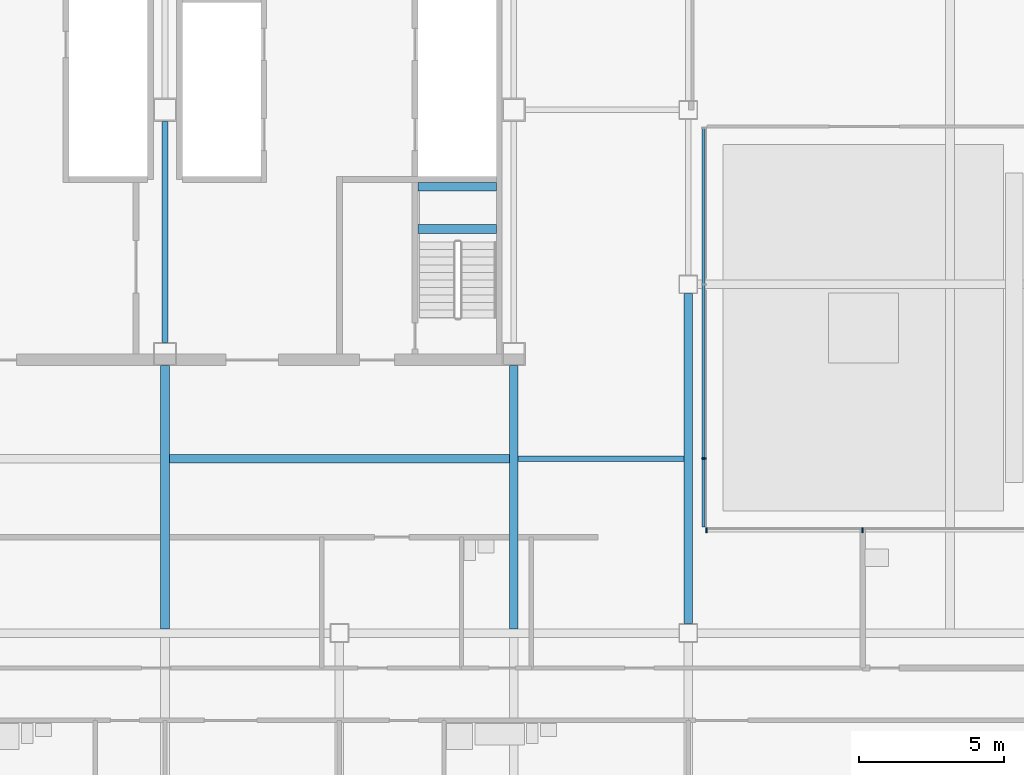
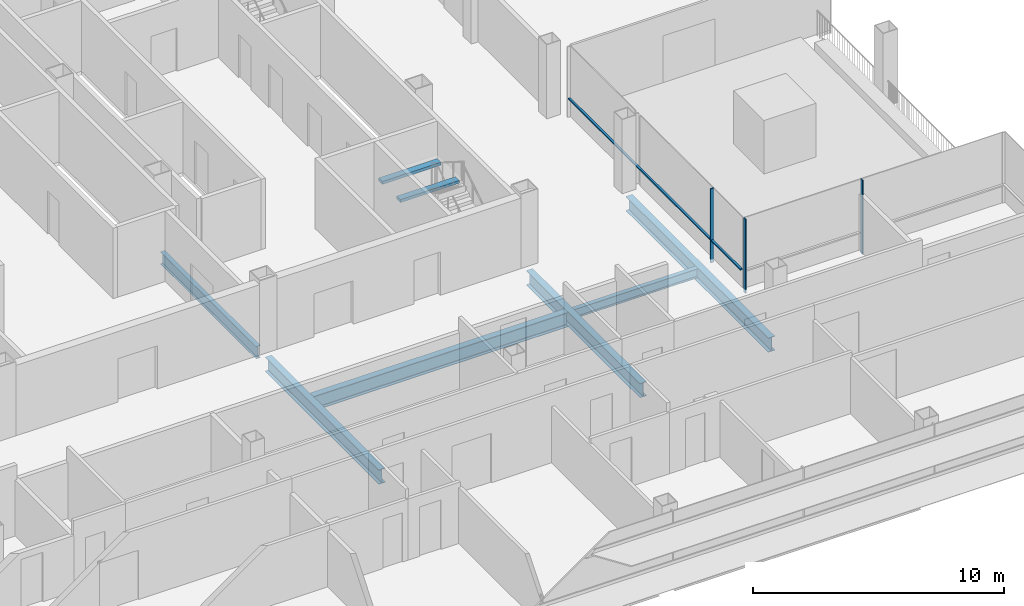
# One storey, part 10 of 27: 8 beams, 4 members, 2 elements without a shape of their own.
"""IFC4 building model written with IfcOpenShell, lengths in metres."""

from ifc_helpers import new_model, si_unit, direction, frame, origin, origin_2d, place, context, subcontext, project, spatial, rectangle, i_section, extrude, material, material_profile, profile_set, type_object, element, aggregate, save


model = new_model("IFC4")

# Units and contexts
model_context = context("Model", 3, precision=1e-05, world=origin(), true_north=direction((0.0, 1.0)))
body_context = subcontext(model_context, "Body", "Model", "MODEL_VIEW")
ifc_project = project(units=[si_unit("LENGTHUNIT", "METRE"), si_unit("AREAUNIT", "SQUARE_METRE"), si_unit("VOLUMEUNIT", "CUBIC_METRE"), si_unit("PLANEANGLEUNIT", "RADIAN"), si_unit("MASSUNIT", "GRAM", prefix="KILO")], contexts=[model_context])

# Site, building, storey
site_placement = place(None, origin())
site = spatial("IfcSite", under=ifc_project, at=site_placement, CompositionType="ELEMENT")
building_placement = place(site_placement, origin())
building = spatial("IfcBuilding", under=site, at=building_placement, Name="Sorahane Residences", CompositionType="ELEMENT")
storey_placement = place(building_placement, frame((0.0, 0.0, 167.199951171875)))
storey = spatial("IfcBuildingStorey", under=building, at=storey_placement, Name="L38", CompositionType="ELEMENT", Elevation=167.199951171875)

# Curtain wall, members
ifc_material_1 = material(Name="Dark low-e glass and black anodised aluminium", Category="aluminium")
curtain_wall_type = type_object("IfcCurtainWallType", Name="Curtain wall CW-1 Typical unitised wall", PredefinedType="NOTDEFINED", material=ifc_material_1)
curtain_wall_1_placement = place(storey_placement, origin())
curtain_wall_1 = element("IfcCurtainWall", 1, at=curtain_wall_1_placement, inside=storey, type_object=curtain_wall_type, Name="CW-1 curtain wall L38 N1", PredefinedType="NOTDEFINED")
ifc_material_2 = material(Name="Black anodised aluminium", Category="aluminium")
ifc_material_profile_1 = material_profile(ifc_material_2, rectangle(XDim=0.159912109375, YDim=0.050048828125, at=origin_2d()), Name="Curtain wall mullion CW-1 black anodised aluminium 50x160")
ifc_profile_set_1 = profile_set([ifc_material_profile_1], Name="Black anodised aluminium")
member_type_1 = type_object("IfcMemberType", Name="Curtain wall mullion CW-1 black anodised aluminium 50x160", PredefinedType="MULLION", material=ifc_profile_set_1)
member_1_placement = place(storey_placement, frame((54.0, 15.5400390625, -0.179931640625), z_axis=(0.0, 0.0, 1.0), x_axis=(0.0, 1.0, 0.0)))
member_1 = element("IfcMember", 2, at=member_1_placement, type_object=member_type_1, Name="CW-1 mullion L38 N1.2", PredefinedType="MULLION", context=body_context, shape_type="SweptSolid", body=[
    extrude(rectangle(XDim=0.159912109375, YDim=0.050048828125, at=origin_2d()), origin(), (0.0, 0.0, 1.0), 3.60009765625),
])
member_2_placement = place(storey_placement, frame((48.625, 15.5400390625, -0.179931640625), z_axis=(0.0, 0.0, 1.0), x_axis=(0.0, 1.0, 0.0)))
member_2 = element("IfcMember", 3, at=member_2_placement, type_object=member_type_1, Name="CW-1 mullion L38 N1.3", PredefinedType="MULLION", context=body_context, shape_type="SweptSolid", body=[
    extrude(rectangle(XDim=0.159912109375, YDim=0.050048828125, at=origin_2d()), origin(), (0.0, 0.0, 1.0), 3.60009765625),
])
aggregate(curtain_wall_1, [member_1, member_2])

curtain_wall_2_placement = place(storey_placement, origin())
curtain_wall_2 = element("IfcCurtainWall", 4, at=curtain_wall_2_placement, inside=storey, type_object=curtain_wall_type, Name="CW-1 curtain wall L38 E2", PredefinedType="NOTDEFINED")
member_3_placement = place(storey_placement, frame((48.5400390625, 18.0, -0.179931640625), z_axis=(0.0, 0.0, 1.0), x_axis=(1.0, 0.0, 0.0)))
member_3 = element("IfcMember", 5, at=member_3_placement, type_object=member_type_1, Name="CW-1 mullion L38 E2.2", PredefinedType="MULLION", context=body_context, shape_type="SweptSolid", body=[
    extrude(rectangle(XDim=0.159912109375, YDim=0.050048828125, at=origin_2d()), origin(), (0.0, 0.0, 1.0), 3.60009765625),
])
ifc_material_3 = material(Name="Black anodised aluminium", Category="aluminium")
ifc_material_profile_2 = material_profile(ifc_material_3, rectangle(XDim=0.10009765625, YDim=0.06005859375, at=origin_2d()), Name="Curtain wall transom CW-1 black anodised aluminium 60x100")
ifc_profile_set_2 = profile_set([ifc_material_profile_2], Name="Black anodised aluminium")
member_type_2 = type_object("IfcMemberType", Name="Curtain wall transom CW-1 black anodised aluminium 60x100", PredefinedType="USERDEFINED", material=ifc_profile_set_2)
member_4_placement = place(storey_placement, frame((48.530029296875, 15.64990234375, 0.900146484375), z_axis=(0.0, 1.0, 0.0), x_axis=(-1.0, 0.0, 0.0)))
member_4 = element("IfcMember", 6, at=member_4_placement, type_object=member_type_2, Name="CW-1 transom L38 E2", ObjectType="TRANSOM", PredefinedType="USERDEFINED", context=body_context, shape_type="SweptSolid", body=[
    extrude(rectangle(XDim=0.10009765625, YDim=0.06005859375, at=origin_2d()), origin(), (0.0, 0.0, 1.0), 13.7001953125),
])
aggregate(curtain_wall_2, [member_3, member_4])

# Beams
ifc_material_4 = material(Name="Concrete C40", Category="concrete")
ifc_material_profile_3 = material_profile(ifc_material_4, rectangle(XDim=0.300048828125, YDim=0.139892578125, at=origin_2d()), Name="300x140")
ifc_profile_set_3 = profile_set([ifc_material_profile_3], Name="Concrete C40")
beam_type_1 = type_object("IfcBeamType", Name="RC landing beam 300 x 140 Concrete C40", PredefinedType="BEAM", material=ifc_profile_set_3)
for number, where, z_axis, x_axis, name in (
    (7, (38.699951171875, 25.89990234375, 1.530029296875), (1.0, 0.0, 0.0), (0.0, 1.0, 0.0), "Landing beam"),
    (8, (38.699951171875, 27.35009765625, 1.530029296875), (1.0, 0.0, 0.0), (0.0, 1.0, 0.0), "Landing beam"),
):
    element("IfcBeam", number, at=place(storey_placement, frame(where, z_axis=z_axis, x_axis=x_axis)), inside=storey, type_object=beam_type_1, Name=name, PredefinedType="BEAM", context=body_context, shape_type="SweptSolid", body=[
        extrude(rectangle(XDim=0.300048828125, YDim=0.139892578125, at=origin_2d()), origin(), (0.0, 0.0, 1.0), 2.699951171875),
    ])
ifc_material_5 = material(Name="Steel Q355B", Category="steel")
ifc_material_profile_4 = material_profile(ifc_material_5, i_section(OverallWidth=0.199951171875, OverallDepth=0.449951171875, WebThickness=0.009033203125, FlangeThickness=0.013916015625, FilletRadius=0.02001953125, at=origin_2d()), Name="HN 450x200x9x14")
ifc_profile_set_4 = profile_set([ifc_material_profile_4], Name="Steel Q355B")
beam_type_2 = type_object("IfcBeamType", Name="Steel floor beam HN 450x200x9x14 Q355B", PredefinedType="BEAM", material=ifc_profile_set_4)
beam_1_placement = place(storey_placement, frame((42.14990234375, 18.0, -0.405029296875), z_axis=(1.0, 0.0, 0.0), x_axis=(0.0, 1.0, 0.0)))
element("IfcBeam", 9, at=beam_1_placement, inside=storey, type_object=beam_type_2, Name="Beam L38 081", PredefinedType="BEAM", context=body_context, shape_type="SweptSolid", body=[
    extrude(i_section(OverallWidth=0.199951171875, OverallDepth=0.449951171875, WebThickness=0.009033203125, FlangeThickness=0.013916015625, FilletRadius=0.02001953125, at=origin_2d()), origin(), (0.0, 0.0, 1.0), 5.7001953125),
])
ifc_material_6 = material(Name="Steel Q355B", Category="steel")
ifc_material_profile_5 = material_profile(ifc_material_6, i_section(OverallWidth=0.199951171875, OverallDepth=0.60009765625, WebThickness=0.010986328125, FlangeThickness=0.01708984375, FilletRadius=0.02392578125, at=origin_2d()), Name="HN 600x200x11x17")
ifc_profile_set_5 = profile_set([ifc_material_profile_5], Name="Steel Q355B")
beam_type_3 = type_object("IfcBeamType", Name="Steel floor beam HN 600x200x11x17 Q355B", PredefinedType="BEAM", material=ifc_profile_set_5)
beam_2_placement = place(storey_placement, frame((30.0, 22.0, -0.47998046875), z_axis=(0.0, 1.0, 0.0), x_axis=(-1.0, 0.0, 0.0)))
element("IfcBeam", 10, at=beam_2_placement, inside=storey, type_object=beam_type_3, Name="Beam L38 046", PredefinedType="BEAM", context=body_context, shape_type="SweptSolid", body=[
    extrude(i_section(OverallWidth=0.199951171875, OverallDepth=0.60009765625, WebThickness=0.010986328125, FlangeThickness=0.01708984375, FilletRadius=0.02392578125, at=origin_2d()), origin(), (0.0, 0.0, 1.0), 7.60009765625),
])
ifc_material_7 = material(Name="Steel Q355B", Category="steel")
ifc_material_profile_6 = material_profile(ifc_material_7, i_section(OverallWidth=0.300048828125, OverallDepth=0.699951171875, WebThickness=0.012939453125, FlangeThickness=0.02392578125, FilletRadius=0.028076171875, at=origin_2d()), Name="HN 700x300x13x24")
ifc_profile_set_6 = profile_set([ifc_material_profile_6], Name="Steel Q355B")
beam_type_4 = type_object("IfcBeamType", Name="Steel floor beam HN 700x300x13x24 Q355B", PredefinedType="BEAM", material=ifc_profile_set_6)
for number, where, z_axis, x_axis, name in (
    (11, (30.0, 12.14990234375, -0.530029296875), (0.0, 1.0, 0.0), (-1.0, 0.0, 0.0), "Beam L38 045"),
    (12, (42.0, 12.14990234375, -0.530029296875), (0.0, 1.0, 0.0), (-1.0, 0.0, 0.0), "Beam L38 053"),
):
    element("IfcBeam", number, at=place(storey_placement, frame(where, z_axis=z_axis, x_axis=x_axis)), inside=storey, type_object=beam_type_4, Name=name, PredefinedType="BEAM", context=body_context, shape_type="SweptSolid", body=[
        extrude(i_section(OverallWidth=0.300048828125, OverallDepth=0.699951171875, WebThickness=0.012939453125, FlangeThickness=0.02392578125, FilletRadius=0.028076171875, at=origin_2d()), origin(), (0.0, 0.0, 1.0), 9.050048828125),
    ])
beam_3_placement = place(storey_placement, frame((48.0, 12.324951171875, -0.530029296875), z_axis=(0.0, 1.0, 0.0), x_axis=(-1.0, 0.0, 0.0)))
element("IfcBeam", 13, at=beam_3_placement, inside=storey, type_object=beam_type_4, Name="Beam L38 059", PredefinedType="BEAM", context=body_context, shape_type="SweptSolid", body=[
    extrude(i_section(OverallWidth=0.300048828125, OverallDepth=0.699951171875, WebThickness=0.012939453125, FlangeThickness=0.02392578125, FilletRadius=0.028076171875, at=origin_2d()), origin(), (0.0, 0.0, 1.0), 11.35009765625),
])
beam_4_placement = place(storey_placement, frame((30.14990234375, 18.0, -0.530029296875), z_axis=(1.0, 0.0, 0.0), x_axis=(0.0, 1.0, 0.0)))
element("IfcBeam", 14, at=beam_4_placement, inside=storey, type_object=beam_type_4, Name="Beam L38 080", PredefinedType="BEAM", context=body_context, shape_type="SweptSolid", body=[
    extrude(i_section(OverallWidth=0.300048828125, OverallDepth=0.699951171875, WebThickness=0.012939453125, FlangeThickness=0.02392578125, FilletRadius=0.028076171875, at=origin_2d()), origin(), (0.0, 0.0, 1.0), 11.7001953125),
])

save(model, "model.ifc")
